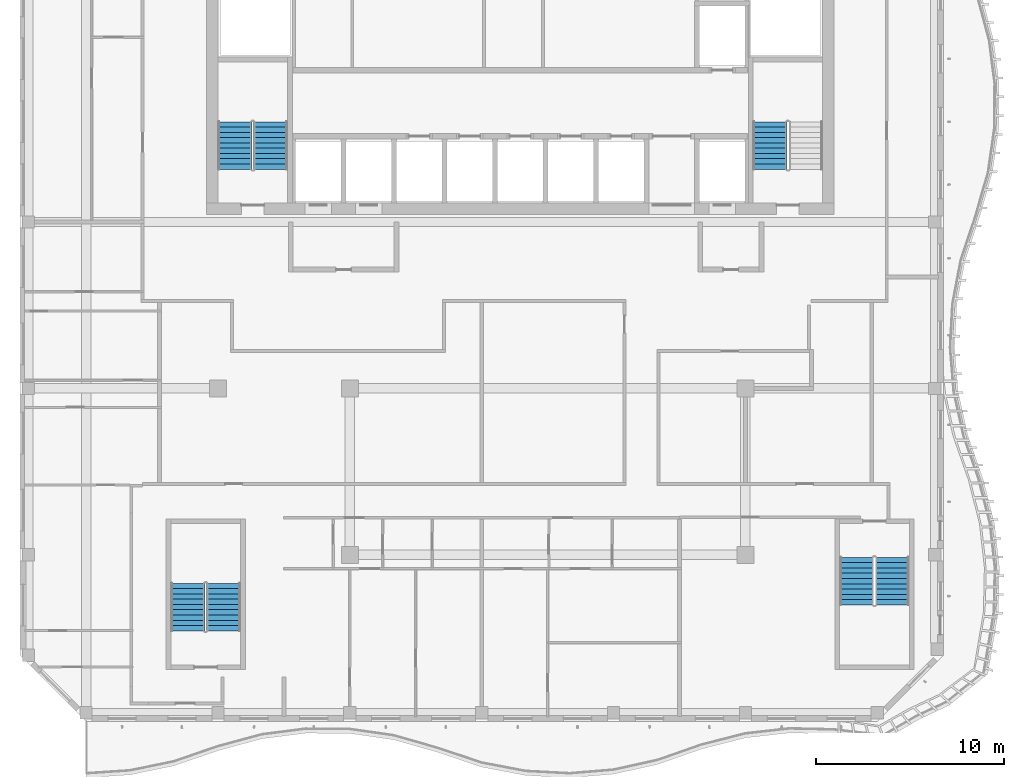
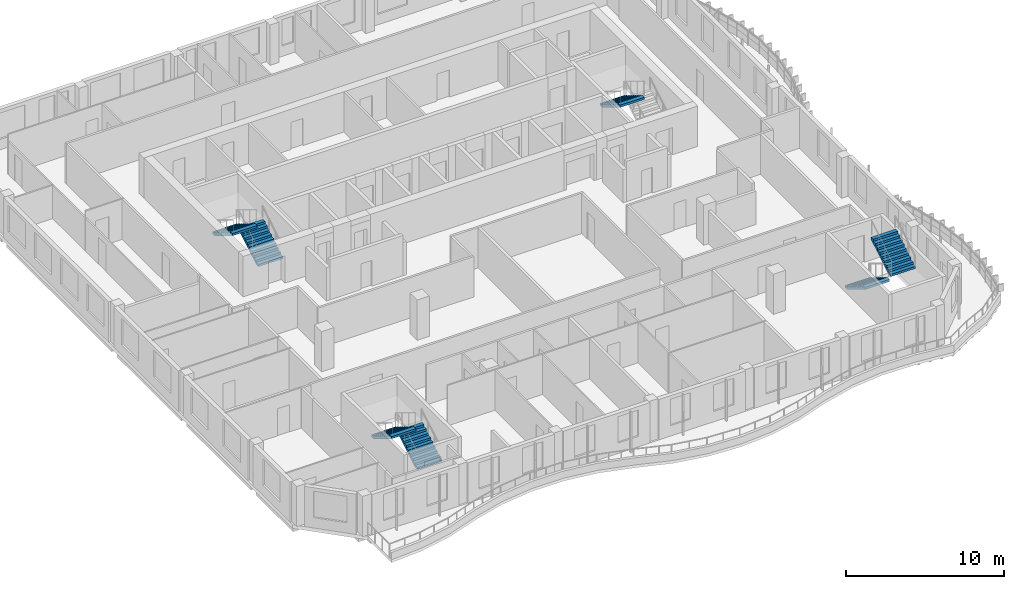
# One storey, part 10 of 18: 7 stair flights, 4 elements without a shape of their own.
"""IFC4 building model written with IfcOpenShell, lengths in metres."""

import ifcopenshell
import ifcopenshell.guid

model = None  # the IFC model being written
_history = None  # IfcOwnerHistory: only IFC2X3 demands one
_inside = {}  # id of a spatial element -> (the spatial element, [elements in it])
_under = {}  # id of a project, library or spatial element -> (it, [spatial elements below it])
_declared = {}  # id of a project -> (the project, [libraries it declares])
_typed = {}  # id of a type object -> (the type object, [elements of that type])
_made_of = {}  # id of a material, layer set ... -> (it, [elements and type objects made of it])


def new_model(schema):
    """Start an empty IFC model of exactly this schema.

    Asked for "IFC4X3", IfcOpenShell would pick the latest addendum, in which some entities
    have other attributes; the version numbers below select the first issue.
    IFC2X3 requires an IfcOwnerHistory on every rooted entity: one is made here for all.
    """
    global model, _history
    if schema == "IFC4X3":
        model = ifcopenshell.file(schema_version=(4, 3, 0, 0))
    else:
        model = ifcopenshell.file(schema=schema)
    _inside.clear()
    _under.clear()
    _declared.clear()
    _typed.clear()
    _made_of.clear()
    _history = None
    if model.schema == "IFC2X3":
        org = make("IfcOrganization", Name="unknown")
        user = make(
            "IfcPersonAndOrganization",
            ThePerson=make("IfcPerson", FamilyName="unknown"),
            TheOrganization=org,
        )
        app = make(
            "IfcApplication",
            ApplicationDeveloper=org,
            Version="unknown",
            ApplicationFullName="unknown",
            ApplicationIdentifier="unknown",
        )
        _history = make(
            "IfcOwnerHistory",
            OwningUser=user,
            OwningApplication=app,
            ChangeAction="ADDED",
            CreationDate=0,
        )
    return model


def make(cls, **values):
    """One entity of the class cls with the attributes given. An attribute that is None is left unset."""
    return model.create_entity(
        cls, **{name: value for name, value in values.items() if value is not None}
    )


def rooted(cls, **values):
    """An entity with a GlobalId (a new one), such as an element, a storey or a relation."""
    return make(cls, GlobalId=ifcopenshell.guid.new(), OwnerHistory=_history, **values)


def si_unit(unit_type, name, prefix=None):
    """IfcSIUnit, for example si_unit("LENGTHUNIT", "METRE", prefix="MILLI")."""
    return make("IfcSIUnit", UnitType=unit_type, Prefix=prefix, Name=name)


def assignment(units):
    """IfcUnitAssignment: the units of a project."""
    return None if units is None else make("IfcUnitAssignment", Units=units)


def point(xyz):
    """IfcCartesianPoint."""
    return None if xyz is None else make("IfcCartesianPoint", Coordinates=xyz)


def direction(xyz):
    """IfcDirection."""
    return None if xyz is None else make("IfcDirection", DirectionRatios=xyz)


def frame(location, z_axis=None, x_axis=None):
    """IfcAxis2Placement3D, a coordinate frame: its origin and axes. An axis left out is left unset."""
    return make(
        "IfcAxis2Placement3D",
        Location=point(location),
        Axis=direction(z_axis),
        RefDirection=direction(x_axis),
    )


def origin():
    """The frame at (0, 0, 0) with its axes left unset."""
    return frame((0.0, 0.0, 0.0))


def place(relative_to, where):
    """IfcLocalPlacement: puts the frame where relative to a parent placement (None: the world)."""
    return make(
        "IfcLocalPlacement", PlacementRelTo=relative_to, RelativePlacement=where
    )


def context(
    kind, dimensions, precision=None, world=None, true_north=None, identifier=None
):
    """IfcGeometricRepresentationContext, for example the 3D "Model" context."""
    return make(
        "IfcGeometricRepresentationContext",
        ContextIdentifier=identifier,
        ContextType=kind,
        CoordinateSpaceDimension=dimensions,
        Precision=precision,
        WorldCoordinateSystem=world,
        TrueNorth=true_north,
    )


def subcontext(parent, identifier, kind, view, scale=None):
    """IfcGeometricRepresentationSubContext, for example "Body" below "Model"."""
    return make(
        "IfcGeometricRepresentationSubContext",
        ContextIdentifier=identifier,
        ContextType=kind,
        ParentContext=parent,
        TargetScale=scale,
        TargetView=view,
    )


def project(units=None, contexts=None):
    """IfcProject with its units and contexts."""
    return rooted(
        "IfcProject",
        Name="project",
        RepresentationContexts=contexts,
        UnitsInContext=assignment(units),
    )


def spatial(cls, under=None, at=None, **own):
    """A site, building, storey or space (cls), placed at a placement, below another one or the project."""
    s = rooted(cls, ObjectPlacement=at, **own)
    if under is not None:
        _under.setdefault(under.id(), (under, []))[1].append(s)
    return s


def point_list(points):
    """IfcCartesianPointList2D or 3D."""
    cls = (
        "IfcCartesianPointList2D" if len(points[0]) == 2 else "IfcCartesianPointList3D"
    )
    return make(cls, CoordList=points)


def triangles(points, corners, closed=None, point_numbers=None):
    """IfcTriangulatedFaceSet: each triangle names its three corners, points numbered from 1."""
    return make(
        "IfcTriangulatedFaceSet",
        Coordinates=point_list(points),
        Closed=closed,
        CoordIndex=corners,
        PnIndex=point_numbers,
    )


def shape(context_of_items, identifier, shape_type, items):
    """IfcShapeRepresentation: the items that make up one representation, for example the "Body"."""
    return make(
        "IfcShapeRepresentation",
        ContextOfItems=context_of_items,
        RepresentationIdentifier=identifier,
        RepresentationType=shape_type,
        Items=items,
    )


def source(mapping_origin, context_of_items, identifier, shape_type, items):
    """IfcRepresentationMap: a shape defined once, which mapped items show again and again."""
    return make(
        "IfcRepresentationMap",
        MappingOrigin=mapping_origin,
        MappedRepresentation=shape(context_of_items, identifier, shape_type, items),
    )


def transform(
    local_origin,
    x_axis=None,
    y_axis=None,
    z_axis=None,
    scale=None,
    scale2=None,
    scale3=None,
    uniform=True,
):
    """IfcCartesianTransformationOperator3D, or its non-uniform kind. x_axis, y_axis, z_axis: its Axis1, 2, 3."""
    if uniform:
        return make(
            "IfcCartesianTransformationOperator3D",
            Axis1=direction(x_axis),
            Axis2=direction(y_axis),
            LocalOrigin=point(local_origin),
            Scale=scale,
            Axis3=direction(z_axis),
        )
    return make(
        "IfcCartesianTransformationOperator3DnonUniform",
        Axis1=direction(x_axis),
        Axis2=direction(y_axis),
        LocalOrigin=point(local_origin),
        Scale=scale,
        Axis3=direction(z_axis),
        Scale2=scale2,
        Scale3=scale3,
    )


def mapped(mapping_source, mapping_target):
    """IfcMappedItem: shows the shape of a source again, moved by a transform."""
    return make(
        "IfcMappedItem", MappingSource=mapping_source, MappingTarget=mapping_target
    )


def material(Name=None, Category=None):
    """IfcMaterial."""
    return make("IfcMaterial", Name=Name, Category=Category)


def made_of(thing, what):
    """Note that an element or type object is made of a material, layer set ...; save() writes the relation."""
    if what is not None:
        _made_of.setdefault(what.id(), (what, []))[1].append(thing)
    return thing


def type_object(cls, material=None, **own):
    """A type object (cls), such as IfcWallType, which elements share."""
    return made_of(rooted(cls, **own), material)


def element(
    cls,
    number,
    at=None,
    inside=None,
    cuts=None,
    type_object=None,
    material=None,
    context=None,
    identifier="Body",
    shape_type=None,
    held_by="IfcProductDefinitionShape",
    body=None,
    shapes=None,
    **own,
):
    """One element of the class cls, such as IfcWall. Its Tag is "e" and its number.

    at: its placement. inside: the storey or other place that contains it. cuts: it is an
    opening in that element (IfcRelVoidsElement). A single representation is given by context,
    identifier, shape_type and body (its items); several are given by shapes. held_by: the class
    of the entity that holds the representations. save() writes the other relations.
    """
    e = rooted(cls, Tag="e%d" % number, ObjectPlacement=at, **own)
    if body is not None:
        shapes = [shape(context, identifier, shape_type, body)]
    if shapes is not None:
        e.Representation = make(held_by, Representations=shapes)
    if inside is not None:
        _inside.setdefault(inside.id(), (inside, []))[1].append(e)
    if cuts is not None:
        rooted(
            "IfcRelVoidsElement", RelatingBuildingElement=cuts, RelatedOpeningElement=e
        )
    if type_object is not None:
        _typed.setdefault(type_object.id(), (type_object, []))[1].append(e)
    return made_of(e, material)


def aggregate(whole, parts):
    """IfcRelAggregates: a whole, such as a stair, and the parts it consists of."""
    return rooted("IfcRelAggregates", RelatingObject=whole, RelatedObjects=parts)


def save(model, path):
    """Write the relations noted so far, then the file.

    IfcRelAggregates (storeys below a building ...), IfcRelContainedInSpatialStructure (elements
    in a storey), IfcRelDefinesByType, IfcRelAssociatesMaterial and IfcRelDeclares: one each for
    every whole, place, type object, material and project.
    """
    for whole, parts in _under.values():
        aggregate(whole, parts)
    for where, things in _inside.values():
        rooted(
            "IfcRelContainedInSpatialStructure",
            RelatedElements=things,
            RelatingStructure=where,
        )
    for kind, things in _typed.values():
        rooted("IfcRelDefinesByType", RelatedObjects=things, RelatingType=kind)
    for what, things in _made_of.values():
        rooted("IfcRelAssociatesMaterial", RelatedObjects=things, RelatingMaterial=what)
    for by, libraries in _declared.values():
        rooted("IfcRelDeclares", RelatingContext=by, RelatedDefinitions=libraries)
    model.write(path)


model = new_model("IFC4")

# Units and contexts
model_context = context("Model", 3, precision=1e-05, world=origin(), true_north=direction((0.0, 1.0)))
body_context = subcontext(model_context, "Body", "Model", "MODEL_VIEW")
ifc_project = project(units=[si_unit("LENGTHUNIT", "METRE"), si_unit("AREAUNIT", "SQUARE_METRE"), si_unit("VOLUMEUNIT", "CUBIC_METRE"), si_unit("PLANEANGLEUNIT", "RADIAN"), si_unit("MASSUNIT", "GRAM", prefix="KILO")], contexts=[model_context])

# Site, building, storey
site_placement = place(None, origin())
site = spatial("IfcSite", under=ifc_project, at=site_placement, CompositionType="ELEMENT")
building_placement = place(site_placement, origin())
building = spatial("IfcBuilding", under=site, at=building_placement, Name="Kilnfold Tower and Market Hall", CompositionType="ELEMENT")
storey_placement = place(building_placement, frame((0.0, 0.0, 277.199951171875)))
storey = spatial("IfcBuildingStorey", under=building, at=storey_placement, Name="L68", CompositionType="ELEMENT", Elevation=277.199951171875)

# Stair, stair flights
ifc_material_1 = material(Name="Concrete C40/50", Category="concrete")
stair_type = type_object("IfcStairType", Name="CORE STAIR 1800", PredefinedType="HALF_TURN_STAIR", material=ifc_material_1)
stair_1_placement = place(storey_placement, origin())
stair_1 = element("IfcStair", 1, at=stair_1_placement, inside=storey, type_object=stair_type, Name="L68 ST1", PredefinedType="HALF_TURN_STAIR")
ifc_material_2 = material(Name="Concrete C40/50", Category="concrete")
stair_flight_type = type_object("IfcStairFlightType", Name="CORE STAIR FLIGHT 1800", PredefinedType="STRAIGHT", material=ifc_material_2)
shared_shape = source(origin(), body_context, "Body", "Tessellation", [
    triangles([(0.0, 0.89990234375, 0.0), (0.0, 0.78759765625, 0.0), (0.0, 0.675048828125, 0.0), (0.0, 0.5625, 0.0), (0.0, 0.449951171875, 0.0), (0.0, 0.33740234375, 0.0), (0.0, 0.22509765625, 0.0), (0.0, 0.112548828125, 0.0), (0.0, 0.0, 0.0), (0.0, -0.112548828125, 0.0), (0.0, -0.22509765625, 0.0), (0.0, -0.33740234375, 0.0), (0.0, -0.449951171875, 0.0), (0.0, -0.5625, 0.0), (0.0, -0.675048828125, 0.0), (0.0, -0.78759765625, 0.0), (0.0, -0.89990234375, 0.0), (0.0, 0.89990234375, 0.169921875), (0.0, 0.78759765625, 0.169921875), (0.0, 0.675048828125, 0.169921875), (0.0, 0.5625, 0.169921875), (0.0, 0.449951171875, 0.169921875), (0.0, 0.33740234375, 0.169921875), (0.0, 0.22509765625, 0.169921875), (0.0, 0.112548828125, 0.169921875), (0.0, 0.0, 0.169921875), (0.0, -0.112548828125, 0.169921875), (0.0, -0.22509765625, 0.169921875), (0.0, -0.33740234375, 0.169921875), (0.0, -0.449951171875, 0.169921875), (0.0, -0.5625, 0.169921875), (0.0, -0.675048828125, 0.169921875), (0.0, -0.78759765625, 0.169921875), (0.0, -0.89990234375, 0.169921875), (0.280029296875, 0.89990234375, 0.169921875), (0.280029296875, 0.78759765625, 0.169921875), (0.280029296875, 0.675048828125, 0.169921875), (0.280029296875, 0.5625, 0.169921875), (0.280029296875, 0.449951171875, 0.169921875), (0.280029296875, 0.33740234375, 0.169921875), (0.280029296875, 0.22509765625, 0.169921875), (0.280029296875, 0.112548828125, 0.169921875), (0.280029296875, 0.0, 0.169921875), (0.280029296875, -0.112548828125, 0.169921875), (0.280029296875, -0.22509765625, 0.169921875), (0.280029296875, -0.33740234375, 0.169921875), (0.280029296875, -0.449951171875, 0.169921875), (0.280029296875, -0.5625, 0.169921875), (0.280029296875, -0.675048828125, 0.169921875), (0.280029296875, -0.78759765625, 0.169921875), (0.280029296875, -0.89990234375, 0.169921875), (0.280029296875, 0.89990234375, 0.340087890625), (0.280029296875, 0.78759765625, 0.340087890625), (0.280029296875, 0.675048828125, 0.340087890625), (0.280029296875, 0.5625, 0.340087890625), (0.280029296875, 0.449951171875, 0.340087890625), (0.280029296875, 0.33740234375, 0.340087890625), (0.280029296875, 0.22509765625, 0.340087890625), (0.280029296875, 0.112548828125, 0.340087890625), (0.280029296875, 0.0, 0.340087890625), (0.280029296875, -0.112548828125, 0.340087890625), (0.280029296875, -0.22509765625, 0.340087890625), (0.280029296875, -0.33740234375, 0.340087890625), (0.280029296875, -0.449951171875, 0.340087890625), (0.280029296875, -0.5625, 0.340087890625), (0.280029296875, -0.675048828125, 0.340087890625), (0.280029296875, -0.78759765625, 0.340087890625), (0.280029296875, -0.89990234375, 0.340087890625), (0.56005859375, 0.89990234375, 0.340087890625), (0.56005859375, 0.78759765625, 0.340087890625), (0.56005859375, 0.675048828125, 0.340087890625), (0.56005859375, 0.5625, 0.340087890625), (0.56005859375, 0.449951171875, 0.340087890625), (0.56005859375, 0.33740234375, 0.340087890625), (0.56005859375, 0.22509765625, 0.340087890625), (0.56005859375, 0.112548828125, 0.340087890625), (0.56005859375, 0.0, 0.340087890625), (0.56005859375, -0.112548828125, 0.340087890625), (0.56005859375, -0.22509765625, 0.340087890625), (0.56005859375, -0.33740234375, 0.340087890625), (0.56005859375, -0.449951171875, 0.340087890625), (0.56005859375, -0.5625, 0.340087890625), (0.56005859375, -0.675048828125, 0.340087890625), (0.56005859375, -0.78759765625, 0.340087890625), (0.56005859375, -0.89990234375, 0.340087890625), (0.56005859375, 0.89990234375, 0.510009765625), (0.56005859375, 0.78759765625, 0.510009765625), (0.56005859375, 0.675048828125, 0.510009765625), (0.56005859375, 0.5625, 0.510009765625), (0.56005859375, 0.449951171875, 0.510009765625), (0.56005859375, 0.33740234375, 0.510009765625), (0.56005859375, 0.22509765625, 0.510009765625), (0.56005859375, 0.112548828125, 0.510009765625), (0.56005859375, 0.0, 0.510009765625), (0.56005859375, -0.112548828125, 0.510009765625), (0.56005859375, -0.22509765625, 0.510009765625), (0.56005859375, -0.33740234375, 0.510009765625), (0.56005859375, -0.449951171875, 0.510009765625), (0.56005859375, -0.5625, 0.510009765625), (0.56005859375, -0.675048828125, 0.510009765625), (0.56005859375, -0.78759765625, 0.510009765625), (0.56005859375, -0.89990234375, 0.510009765625), (0.840087890625, 0.89990234375, 0.510009765625), (0.840087890625, 0.78759765625, 0.510009765625), (0.840087890625, 0.675048828125, 0.510009765625), (0.840087890625, 0.5625, 0.510009765625), (0.840087890625, 0.449951171875, 0.510009765625), (0.840087890625, 0.33740234375, 0.510009765625), (0.840087890625, 0.22509765625, 0.510009765625), (0.840087890625, 0.112548828125, 0.510009765625), (0.840087890625, 0.0, 0.510009765625), (0.840087890625, -0.112548828125, 0.510009765625), (0.840087890625, -0.22509765625, 0.510009765625), (0.840087890625, -0.33740234375, 0.510009765625), (0.840087890625, -0.449951171875, 0.510009765625), (0.840087890625, -0.5625, 0.510009765625), (0.840087890625, -0.675048828125, 0.510009765625), (0.840087890625, -0.78759765625, 0.510009765625), (0.840087890625, -0.89990234375, 0.510009765625), (0.840087890625, 0.89990234375, 0.679931640625), (0.840087890625, 0.78759765625, 0.679931640625), (0.840087890625, 0.675048828125, 0.679931640625), (0.840087890625, 0.5625, 0.679931640625), (0.840087890625, 0.449951171875, 0.679931640625), (0.840087890625, 0.33740234375, 0.679931640625), (0.840087890625, 0.22509765625, 0.679931640625), (0.840087890625, 0.112548828125, 0.679931640625), (0.840087890625, 0.0, 0.679931640625), (0.840087890625, -0.112548828125, 0.679931640625), (0.840087890625, -0.22509765625, 0.679931640625), (0.840087890625, -0.33740234375, 0.679931640625), (0.840087890625, -0.449951171875, 0.679931640625), (0.840087890625, -0.5625, 0.679931640625), (0.840087890625, -0.675048828125, 0.679931640625), (0.840087890625, -0.78759765625, 0.679931640625), (0.840087890625, -0.89990234375, 0.679931640625), (1.1201171875, 0.89990234375, 0.679931640625), (1.1201171875, 0.78759765625, 0.679931640625), (1.1201171875, 0.675048828125, 0.679931640625), (1.1201171875, 0.5625, 0.679931640625), (1.1201171875, 0.449951171875, 0.679931640625), (1.1201171875, 0.33740234375, 0.679931640625), (1.1201171875, 0.22509765625, 0.679931640625), (1.1201171875, 0.112548828125, 0.679931640625), (1.1201171875, 0.0, 0.679931640625), (1.1201171875, -0.112548828125, 0.679931640625), (1.1201171875, -0.22509765625, 0.679931640625), (1.1201171875, -0.33740234375, 0.679931640625), (1.1201171875, -0.449951171875, 0.679931640625), (1.1201171875, -0.5625, 0.679931640625), (1.1201171875, -0.675048828125, 0.679931640625), (1.1201171875, -0.78759765625, 0.679931640625), (1.1201171875, -0.89990234375, 0.679931640625), (1.1201171875, 0.89990234375, 0.85009765625), (1.1201171875, 0.78759765625, 0.85009765625), (1.1201171875, 0.675048828125, 0.85009765625), (1.1201171875, 0.5625, 0.85009765625), (1.1201171875, 0.449951171875, 0.85009765625), (1.1201171875, 0.33740234375, 0.85009765625), (1.1201171875, 0.22509765625, 0.85009765625), (1.1201171875, 0.112548828125, 0.85009765625), (1.1201171875, 0.0, 0.85009765625), (1.1201171875, -0.112548828125, 0.85009765625), (1.1201171875, -0.22509765625, 0.85009765625), (1.1201171875, -0.33740234375, 0.85009765625), (1.1201171875, -0.449951171875, 0.85009765625), (1.1201171875, -0.5625, 0.85009765625), (1.1201171875, -0.675048828125, 0.85009765625), (1.1201171875, -0.78759765625, 0.85009765625), (1.1201171875, -0.89990234375, 0.85009765625), (1.39990234375, 0.89990234375, 0.85009765625), (1.39990234375, 0.78759765625, 0.85009765625), (1.39990234375, 0.675048828125, 0.85009765625), (1.39990234375, 0.5625, 0.85009765625), (1.39990234375, 0.449951171875, 0.85009765625), (1.39990234375, 0.33740234375, 0.85009765625), (1.39990234375, 0.22509765625, 0.85009765625), (1.39990234375, 0.112548828125, 0.85009765625), (1.39990234375, 0.0, 0.85009765625), (1.39990234375, -0.112548828125, 0.85009765625), (1.39990234375, -0.22509765625, 0.85009765625), (1.39990234375, -0.33740234375, 0.85009765625), (1.39990234375, -0.449951171875, 0.85009765625), (1.39990234375, -0.5625, 0.85009765625), (1.39990234375, -0.675048828125, 0.85009765625), (1.39990234375, -0.78759765625, 0.85009765625), (1.39990234375, -0.89990234375, 0.85009765625), (1.39990234375, 0.89990234375, 1.02001953125), (1.39990234375, 0.78759765625, 1.02001953125), (1.39990234375, 0.675048828125, 1.02001953125), (1.39990234375, 0.5625, 1.02001953125), (1.39990234375, 0.449951171875, 1.02001953125), (1.39990234375, 0.33740234375, 1.02001953125), (1.39990234375, 0.22509765625, 1.02001953125), (1.39990234375, 0.112548828125, 1.02001953125), (1.39990234375, 0.0, 1.02001953125), (1.39990234375, -0.112548828125, 1.02001953125), (1.39990234375, -0.22509765625, 1.02001953125), (1.39990234375, -0.33740234375, 1.02001953125), (1.39990234375, -0.449951171875, 1.02001953125), (1.39990234375, -0.5625, 1.02001953125), (1.39990234375, -0.675048828125, 1.02001953125), (1.39990234375, -0.78759765625, 1.02001953125), (1.39990234375, -0.89990234375, 1.02001953125), (1.679931640625, 0.89990234375, 1.02001953125), (1.679931640625, 0.78759765625, 1.02001953125), (1.679931640625, 0.675048828125, 1.02001953125), (1.679931640625, 0.5625, 1.02001953125), (1.679931640625, 0.449951171875, 1.02001953125), (1.679931640625, 0.33740234375, 1.02001953125), (1.679931640625, 0.22509765625, 1.02001953125), (1.679931640625, 0.112548828125, 1.02001953125), (1.679931640625, 0.0, 1.02001953125), (1.679931640625, -0.112548828125, 1.02001953125), (1.679931640625, -0.22509765625, 1.02001953125), (1.679931640625, -0.33740234375, 1.02001953125), (1.679931640625, -0.449951171875, 1.02001953125), (1.679931640625, -0.5625, 1.02001953125), (1.679931640625, -0.675048828125, 1.02001953125), (1.679931640625, -0.78759765625, 1.02001953125), (1.679931640625, -0.89990234375, 1.02001953125), (1.679931640625, 0.89990234375, 1.18994140625), (1.679931640625, 0.78759765625, 1.18994140625), (1.679931640625, 0.675048828125, 1.18994140625), (1.679931640625, 0.5625, 1.18994140625), (1.679931640625, 0.449951171875, 1.18994140625), (1.679931640625, 0.33740234375, 1.18994140625), (1.679931640625, 0.22509765625, 1.18994140625), (1.679931640625, 0.112548828125, 1.18994140625), (1.679931640625, 0.0, 1.18994140625), (1.679931640625, -0.112548828125, 1.18994140625), (1.679931640625, -0.22509765625, 1.18994140625), (1.679931640625, -0.33740234375, 1.18994140625), (1.679931640625, -0.449951171875, 1.18994140625), (1.679931640625, -0.5625, 1.18994140625), (1.679931640625, -0.675048828125, 1.18994140625), (1.679931640625, -0.78759765625, 1.18994140625), (1.679931640625, -0.89990234375, 1.18994140625), (1.9599609375, 0.89990234375, 1.18994140625), (1.9599609375, 0.78759765625, 1.18994140625), (1.9599609375, 0.675048828125, 1.18994140625), (1.9599609375, 0.5625, 1.18994140625), (1.9599609375, 0.449951171875, 1.18994140625), (1.9599609375, 0.33740234375, 1.18994140625), (1.9599609375, 0.22509765625, 1.18994140625), (1.9599609375, 0.112548828125, 1.18994140625), (1.9599609375, 0.0, 1.18994140625), (1.9599609375, -0.112548828125, 1.18994140625), (1.9599609375, -0.22509765625, 1.18994140625), (1.9599609375, -0.33740234375, 1.18994140625), (1.9599609375, -0.449951171875, 1.18994140625), (1.9599609375, -0.5625, 1.18994140625), (1.9599609375, -0.675048828125, 1.18994140625), (1.9599609375, -0.78759765625, 1.18994140625), (1.9599609375, -0.89990234375, 1.18994140625), (1.9599609375, 0.89990234375, 1.360107421875), (1.9599609375, 0.78759765625, 1.360107421875), (1.9599609375, 0.675048828125, 1.360107421875), (1.9599609375, 0.5625, 1.360107421875), (1.9599609375, 0.449951171875, 1.360107421875), (1.9599609375, 0.33740234375, 1.360107421875), (1.9599609375, 0.22509765625, 1.360107421875), (1.9599609375, 0.112548828125, 1.360107421875), (1.9599609375, 0.0, 1.360107421875), (1.9599609375, -0.112548828125, 1.360107421875), (1.9599609375, -0.22509765625, 1.360107421875), (1.9599609375, -0.33740234375, 1.360107421875), (1.9599609375, -0.449951171875, 1.360107421875), (1.9599609375, -0.5625, 1.360107421875), (1.9599609375, -0.675048828125, 1.360107421875), (1.9599609375, -0.78759765625, 1.360107421875), (1.9599609375, -0.89990234375, 1.360107421875), (2.239990234375, 0.89990234375, 1.360107421875), (2.239990234375, 0.78759765625, 1.360107421875), (2.239990234375, 0.675048828125, 1.360107421875), (2.239990234375, 0.5625, 1.360107421875), (2.239990234375, 0.449951171875, 1.360107421875), (2.239990234375, 0.33740234375, 1.360107421875), (2.239990234375, 0.22509765625, 1.360107421875), (2.239990234375, 0.112548828125, 1.360107421875), (2.239990234375, 0.0, 1.360107421875), (2.239990234375, -0.112548828125, 1.360107421875), (2.239990234375, -0.22509765625, 1.360107421875), (2.239990234375, -0.33740234375, 1.360107421875), (2.239990234375, -0.449951171875, 1.360107421875), (2.239990234375, -0.5625, 1.360107421875), (2.239990234375, -0.675048828125, 1.360107421875), (2.239990234375, -0.78759765625, 1.360107421875), (2.239990234375, -0.89990234375, 1.360107421875), (2.239990234375, 0.89990234375, 1.530029296875), (2.239990234375, 0.78759765625, 1.530029296875), (2.239990234375, 0.675048828125, 1.530029296875), (2.239990234375, 0.5625, 1.530029296875), (2.239990234375, 0.449951171875, 1.530029296875), (2.239990234375, 0.33740234375, 1.530029296875), (2.239990234375, 0.22509765625, 1.530029296875), (2.239990234375, 0.112548828125, 1.530029296875), (2.239990234375, 0.0, 1.530029296875), (2.239990234375, -0.112548828125, 1.530029296875), (2.239990234375, -0.22509765625, 1.530029296875), (2.239990234375, -0.33740234375, 1.530029296875), (2.239990234375, -0.449951171875, 1.530029296875), (2.239990234375, -0.5625, 1.530029296875), (2.239990234375, -0.675048828125, 1.530029296875), (2.239990234375, -0.78759765625, 1.530029296875), (2.239990234375, -0.89990234375, 1.530029296875), (2.52001953125, 0.89990234375, 1.530029296875), (2.52001953125, 0.78759765625, 1.530029296875), (2.52001953125, 0.675048828125, 1.530029296875), (2.52001953125, 0.5625, 1.530029296875), (2.52001953125, 0.449951171875, 1.530029296875), (2.52001953125, 0.33740234375, 1.530029296875), (2.52001953125, 0.22509765625, 1.530029296875), (2.52001953125, 0.112548828125, 1.530029296875), (2.52001953125, 0.0, 1.530029296875), (2.52001953125, -0.112548828125, 1.530029296875), (2.52001953125, -0.22509765625, 1.530029296875), (2.52001953125, -0.33740234375, 1.530029296875), (2.52001953125, -0.449951171875, 1.530029296875), (2.52001953125, -0.5625, 1.530029296875), (2.52001953125, -0.675048828125, 1.530029296875), (2.52001953125, -0.78759765625, 1.530029296875), (2.52001953125, -0.89990234375, 1.530029296875), (2.52001953125, 0.89990234375, 1.354736328125), (2.52001953125, 0.78759765625, 1.354736328125), (2.52001953125, 0.675048828125, 1.354736328125), (2.52001953125, 0.5625, 1.354736328125), (2.52001953125, 0.449951171875, 1.354736328125), (2.52001953125, 0.33740234375, 1.354736328125), (2.52001953125, 0.22509765625, 1.354736328125), (2.52001953125, 0.112548828125, 1.354736328125), (2.52001953125, 0.0, 1.354736328125), (2.52001953125, -0.112548828125, 1.354736328125), (2.52001953125, -0.22509765625, 1.354736328125), (2.52001953125, -0.33740234375, 1.354736328125), (2.52001953125, -0.449951171875, 1.354736328125), (2.52001953125, -0.5625, 1.354736328125), (2.52001953125, -0.675048828125, 1.354736328125), (2.52001953125, -0.78759765625, 1.354736328125), (2.52001953125, -0.89990234375, 1.354736328125), (0.288818359375, 0.89990234375, 0.0), (0.288818359375, 0.78759765625, 0.0), (0.288818359375, 0.675048828125, 0.0), (0.288818359375, 0.5625, 0.0), (0.288818359375, 0.449951171875, 0.0), (0.288818359375, 0.33740234375, 0.0), (0.288818359375, 0.22509765625, 0.0), (0.288818359375, 0.112548828125, 0.0), (0.288818359375, 0.0, 0.0), (0.288818359375, -0.112548828125, 0.0), (0.288818359375, -0.22509765625, 0.0), (0.288818359375, -0.33740234375, 0.0), (0.288818359375, -0.449951171875, 0.0), (0.288818359375, -0.5625, 0.0), (0.288818359375, -0.675048828125, 0.0), (0.288818359375, -0.78759765625, 0.0), (0.288818359375, -0.89990234375, 0.0)], [[1, 324, 341], [17, 357, 340], [324, 290, 307], [340, 323, 306], [324, 273, 290], [340, 306, 289], [324, 256, 273], [340, 289, 272], [324, 239, 256], [340, 272, 255], [239, 205, 222], [255, 238, 221], [324, 205, 239], [340, 255, 221], [205, 171, 188], [221, 204, 187], [324, 171, 205], [340, 221, 187], [171, 137, 154], [187, 170, 153], [324, 137, 171], [340, 187, 153], [137, 103, 120], [153, 136, 119], [324, 103, 137], [340, 153, 119], [103, 69, 86], [119, 102, 85], [324, 69, 103], [340, 119, 85], [69, 35, 52], [85, 68, 51], [324, 35, 69], [340, 85, 51], [1, 35, 324], [17, 340, 51], [35, 1, 18], [51, 34, 17], [1, 19, 18], [1, 2, 19], [2, 20, 19], [2, 3, 20], [3, 21, 20], [3, 4, 21], [4, 22, 21], [4, 5, 22], [5, 23, 22], [5, 6, 23], [6, 24, 23], [6, 7, 24], [7, 25, 24], [7, 8, 25], [8, 26, 25], [8, 9, 26], [9, 27, 26], [9, 10, 27], [10, 28, 27], [10, 11, 28], [11, 29, 28], [11, 12, 29], [12, 30, 29], [12, 13, 30], [13, 31, 30], [13, 14, 31], [14, 32, 31], [14, 15, 32], [15, 33, 32], [15, 16, 33], [16, 34, 33], [16, 17, 34], [18, 36, 35], [18, 19, 36], [19, 37, 36], [19, 20, 37], [20, 38, 37], [20, 21, 38], [21, 39, 38], [21, 22, 39], [22, 40, 39], [22, 23, 40], [23, 41, 40], [23, 24, 41], [24, 42, 41], [24, 25, 42], [25, 43, 42], [25, 26, 43], [26, 44, 43], [26, 27, 44], [27, 45, 44], [27, 28, 45], [28, 46, 45], [28, 29, 46], [29, 47, 46], [29, 30, 47], [30, 48, 47], [30, 31, 48], [31, 49, 48], [31, 32, 49], [32, 50, 49], [32, 33, 50], [33, 51, 50], [33, 34, 51], [35, 53, 52], [35, 36, 53], [36, 54, 53], [36, 37, 54], [37, 55, 54], [37, 38, 55], [38, 56, 55], [38, 39, 56], [39, 57, 56], [39, 40, 57], [40, 58, 57], [40, 41, 58], [41, 59, 58], [41, 42, 59], [42, 60, 59], [42, 43, 60], [43, 61, 60], [43, 44, 61], [44, 62, 61], [44, 45, 62], [45, 63, 62], [45, 46, 63], [46, 64, 63], [46, 47, 64], [47, 65, 64], [47, 48, 65], [48, 66, 65], [48, 49, 66], [49, 67, 66], [49, 50, 67], [50, 68, 67], [50, 51, 68], [52, 70, 69], [52, 53, 70], [53, 71, 70], [53, 54, 71], [54, 72, 71], [54, 55, 72], [55, 73, 72], [55, 56, 73], [56, 74, 73], [56, 57, 74], [57, 75, 74], [57, 58, 75], [58, 76, 75], [58, 59, 76], [59, 77, 76], [59, 60, 77], [60, 78, 77], [60, 61, 78], [61, 79, 78], [61, 62, 79], [62, 80, 79], [62, 63, 80], [63, 81, 80], [63, 64, 81], [64, 82, 81], [64, 65, 82], [65, 83, 82], [65, 66, 83], [66, 84, 83], [66, 67, 84], [67, 85, 84], [67, 68, 85], [69, 87, 86], [69, 70, 87], [70, 88, 87], [70, 71, 88], [71, 89, 88], [71, 72, 89], [72, 90, 89], [72, 73, 90], [73, 91, 90], [73, 74, 91], [74, 92, 91], [74, 75, 92], [75, 93, 92], [75, 76, 93], [76, 94, 93], [76, 77, 94], [77, 95, 94], [77, 78, 95], [78, 96, 95], [78, 79, 96], [79, 97, 96], [79, 80, 97], [80, 98, 97], [80, 81, 98], [81, 99, 98], [81, 82, 99], [82, 100, 99], [82, 83, 100], [83, 101, 100], [83, 84, 101], [84, 102, 101], [84, 85, 102], [86, 104, 103], [86, 87, 104], [87, 105, 104], [87, 88, 105], [88, 106, 105], [88, 89, 106], [89, 107, 106], [89, 90, 107], [90, 108, 107], [90, 91, 108], [91, 109, 108], [91, 92, 109], [92, 110, 109], [92, 93, 110], [93, 111, 110], [93, 94, 111], [94, 112, 111], [94, 95, 112], [95, 113, 112], [95, 96, 113], [96, 114, 113], [96, 97, 114], [97, 115, 114], [97, 98, 115], [98, 116, 115], [98, 99, 116], [99, 117, 116], [99, 100, 117], [100, 118, 117], [100, 101, 118], [101, 119, 118], [101, 102, 119], [103, 121, 120], [103, 104, 121], [104, 122, 121], [104, 105, 122], [105, 123, 122], [105, 106, 123], [106, 124, 123], [106, 107, 124], [107, 125, 124], [107, 108, 125], [108, 126, 125], [108, 109, 126], [109, 127, 126], [109, 110, 127], [110, 128, 127], [110, 111, 128], [111, 129, 128], [111, 112, 129], [112, 130, 129], [112, 113, 130], [113, 131, 130], [113, 114, 131], [114, 132, 131], [114, 115, 132], [115, 133, 132], [115, 116, 133], [116, 134, 133], [116, 117, 134], [117, 135, 134], [117, 118, 135], [118, 136, 135], [118, 119, 136], [120, 138, 137], [120, 121, 138], [121, 139, 138], [121, 122, 139], [122, 140, 139], [122, 123, 140], [123, 141, 140], [123, 124, 141], [124, 142, 141], [124, 125, 142], [125, 143, 142], [125, 126, 143], [126, 144, 143], [126, 127, 144], [127, 145, 144], [127, 128, 145], [128, 146, 145], [128, 129, 146], [129, 147, 146], [129, 130, 147], [130, 148, 147], [130, 131, 148], [131, 149, 148], [131, 132, 149], [132, 150, 149], [132, 133, 150], [133, 151, 150], [133, 134, 151], [134, 152, 151], [134, 135, 152], [135, 153, 152], [135, 136, 153], [137, 155, 154], [137, 138, 155], [138, 156, 155], [138, 139, 156], [139, 157, 156], [139, 140, 157], [140, 158, 157], [140, 141, 158], [141, 159, 158], [141, 142, 159], [142, 160, 159], [142, 143, 160], [143, 161, 160], [143, 144, 161], [144, 162, 161], [144, 145, 162], [145, 163, 162], [145, 146, 163], [146, 164, 163], [146, 147, 164], [147, 165, 164], [147, 148, 165], [148, 166, 165], [148, 149, 166], [149, 167, 166], [149, 150, 167], [150, 168, 167], [150, 151, 168], [151, 169, 168], [151, 152, 169], [152, 170, 169], [152, 153, 170], [154, 172, 171], [154, 155, 172], [155, 173, 172], [155, 156, 173], [156, 174, 173], [156, 157, 174], [157, 175, 174], [157, 158, 175], [158, 176, 175], [158, 159, 176], [159, 177, 176], [159, 160, 177], [160, 178, 177], [160, 161, 178], [161, 179, 178], [161, 162, 179], [162, 180, 179], [162, 163, 180], [163, 181, 180], [163, 164, 181], [164, 182, 181], [164, 165, 182], [165, 183, 182], [165, 166, 183], [166, 184, 183], [166, 167, 184], [167, 185, 184], [167, 168, 185], [168, 186, 185], [168, 169, 186], [169, 187, 186], [169, 170, 187], [171, 189, 188], [171, 172, 189], [172, 190, 189], [172, 173, 190], [173, 191, 190], [173, 174, 191], [174, 192, 191], [174, 175, 192], [175, 193, 192], [175, 176, 193], [176, 194, 193], [176, 177, 194], [177, 195, 194], [177, 178, 195], [178, 196, 195], [178, 179, 196], [179, 197, 196], [179, 180, 197], [180, 198, 197], [180, 181, 198], [181, 199, 198], [181, 182, 199], [182, 200, 199], [182, 183, 200], [183, 201, 200], [183, 184, 201], [184, 202, 201], [184, 185, 202], [185, 203, 202], [185, 186, 203], [186, 204, 203], [186, 187, 204], [188, 206, 205], [188, 189, 206], [189, 207, 206], [189, 190, 207], [190, 208, 207], [190, 191, 208], [191, 209, 208], [191, 192, 209], [192, 210, 209], [192, 193, 210], [193, 211, 210], [193, 194, 211], [194, 212, 211], [194, 195, 212], [195, 213, 212], [195, 196, 213], [196, 214, 213], [196, 197, 214], [197, 215, 214], [197, 198, 215], [198, 216, 215], [198, 199, 216], [199, 217, 216], [199, 200, 217], [200, 218, 217], [200, 201, 218], [201, 219, 218], [201, 202, 219], [202, 220, 219], [202, 203, 220], [203, 221, 220], [203, 204, 221], [205, 223, 222], [205, 206, 223], [206, 224, 223], [206, 207, 224], [207, 225, 224], [207, 208, 225], [208, 226, 225], [208, 209, 226], [209, 227, 226], [209, 210, 227], [210, 228, 227], [210, 211, 228], [211, 229, 228], [211, 212, 229], [212, 230, 229], [212, 213, 230], [213, 231, 230], [213, 214, 231], [214, 232, 231], [214, 215, 232], [215, 233, 232], [215, 216, 233], [216, 234, 233], [216, 217, 234], [217, 235, 234], [217, 218, 235], [218, 236, 235], [218, 219, 236], [219, 237, 236], [219, 220, 237], [220, 238, 237], [220, 221, 238], [222, 240, 239], [222, 223, 240], [223, 241, 240], [223, 224, 241], [224, 242, 241], [224, 225, 242], [225, 243, 242], [225, 226, 243], [226, 244, 243], [226, 227, 244], [227, 245, 244], [227, 228, 245], [228, 246, 245], [228, 229, 246], [229, 247, 246], [229, 230, 247], [230, 248, 247], [230, 231, 248], [231, 249, 248], [231, 232, 249], [232, 250, 249], [232, 233, 250], [233, 251, 250], [233, 234, 251], [234, 252, 251], [234, 235, 252], [235, 253, 252], [235, 236, 253], [236, 254, 253], [236, 237, 254], [237, 255, 254], [237, 238, 255], [239, 257, 256], [239, 240, 257], [240, 258, 257], [240, 241, 258], [241, 259, 258], [241, 242, 259], [242, 260, 259], [242, 243, 260], [243, 261, 260], [243, 244, 261], [244, 262, 261], [244, 245, 262], [245, 263, 262], [245, 246, 263], [246, 264, 263], [246, 247, 264], [247, 265, 264], [247, 248, 265], [248, 266, 265], [248, 249, 266], [249, 267, 266], [249, 250, 267], [250, 268, 267], [250, 251, 268], [251, 269, 268], [251, 252, 269], [252, 270, 269], [252, 253, 270], [253, 271, 270], [253, 254, 271], [254, 272, 271], [254, 255, 272], [256, 274, 273], [256, 257, 274], [257, 275, 274], [257, 258, 275], [258, 276, 275], [258, 259, 276], [259, 277, 276], [259, 260, 277], [260, 278, 277], [260, 261, 278], [261, 279, 278], [261, 262, 279], [262, 280, 279], [262, 263, 280], [263, 281, 280], [263, 264, 281], [264, 282, 281], [264, 265, 282], [265, 283, 282], [265, 266, 283], [266, 284, 283], [266, 267, 284], [267, 285, 284], [267, 268, 285], [268, 286, 285], [268, 269, 286], [269, 287, 286], [269, 270, 287], [270, 288, 287], [270, 271, 288], [271, 289, 288], [271, 272, 289], [273, 291, 290], [273, 274, 291], [274, 292, 291], [274, 275, 292], [275, 293, 292], [275, 276, 293], [276, 294, 293], [276, 277, 294], [277, 295, 294], [277, 278, 295], [278, 296, 295], [278, 279, 296], [279, 297, 296], [279, 280, 297], [280, 298, 297], [280, 281, 298], [281, 299, 298], [281, 282, 299], [282, 300, 299], [282, 283, 300], [283, 301, 300], [283, 284, 301], [284, 302, 301], [284, 285, 302], [285, 303, 302], [285, 286, 303], [286, 304, 303], [286, 287, 304], [287, 305, 304], [287, 288, 305], [288, 306, 305], [288, 289, 306], [290, 308, 307], [290, 291, 308], [291, 309, 308], [291, 292, 309], [292, 310, 309], [292, 293, 310], [293, 311, 310], [293, 294, 311], [294, 312, 311], [294, 295, 312], [295, 313, 312], [295, 296, 313], [296, 314, 313], [296, 297, 314], [297, 315, 314], [297, 298, 315], [298, 316, 315], [298, 299, 316], [299, 317, 316], [299, 300, 317], [300, 318, 317], [300, 301, 318], [301, 319, 318], [301, 302, 319], [302, 320, 319], [302, 303, 320], [303, 321, 320], [303, 304, 321], [304, 322, 321], [304, 305, 322], [305, 323, 322], [305, 306, 323], [307, 325, 324], [307, 308, 325], [308, 326, 325], [308, 309, 326], [309, 327, 326], [309, 310, 327], [310, 328, 327], [310, 311, 328], [311, 329, 328], [311, 312, 329], [312, 330, 329], [312, 313, 330], [313, 331, 330], [313, 314, 331], [314, 332, 331], [314, 315, 332], [315, 333, 332], [315, 316, 333], [316, 334, 333], [316, 317, 334], [317, 335, 334], [317, 318, 335], [318, 336, 335], [318, 319, 336], [319, 337, 336], [319, 320, 337], [320, 338, 337], [320, 321, 338], [321, 339, 338], [321, 322, 339], [322, 340, 339], [322, 323, 340], [324, 342, 341], [324, 325, 342], [325, 343, 342], [325, 326, 343], [326, 344, 343], [326, 327, 344], [327, 345, 344], [327, 328, 345], [328, 346, 345], [328, 329, 346], [329, 347, 346], [329, 330, 347], [330, 348, 347], [330, 331, 348], [331, 349, 348], [331, 332, 349], [332, 350, 349], [332, 333, 350], [333, 351, 350], [333, 334, 351], [334, 352, 351], [334, 335, 352], [335, 353, 352], [335, 336, 353], [336, 354, 353], [336, 337, 354], [337, 355, 354], [337, 338, 355], [338, 356, 355], [338, 339, 356], [339, 357, 356], [339, 340, 357], [341, 2, 1], [341, 342, 2], [342, 3, 2], [342, 343, 3], [343, 4, 3], [343, 344, 4], [344, 5, 4], [344, 345, 5], [345, 6, 5], [345, 346, 6], [346, 7, 6], [346, 347, 7], [347, 8, 7], [347, 348, 8], [348, 9, 8], [348, 349, 9], [349, 10, 9], [349, 350, 10], [350, 11, 10], [350, 351, 11], [351, 12, 11], [351, 352, 12], [352, 13, 12], [352, 353, 13], [353, 14, 13], [353, 354, 14], [354, 15, 14], [354, 355, 15], [355, 16, 15], [355, 356, 16], [356, 17, 16], [356, 357, 17]], closed=True),
])
stair_flight_1_placement = place(storey_placement, frame((-12.199951171875, 10.800048828125, 0.0), z_axis=(0.0, 0.0, 1.0), x_axis=(0.0, 1.0, 0.0)))
stair_flight_1 = element("IfcStairFlight", 2, at=stair_flight_1_placement, type_object=stair_flight_type, Name="ST1 flight 1", NumberOfRisers=10, NumberOfTreads=9, PredefinedType="STRAIGHT", RiserHeight=0.17, TreadLength=0.28, context=body_context, shape_type="MappedRepresentation", body=[
    mapped(shared_shape, transform((0.0, 0.0, 0.0))),
])
stair_flight_2_placement = place(storey_placement, frame((-14.10009765625, 13.320068359375, 1.699951171875), z_axis=(0.0, 0.0, 1.0), x_axis=(0.0, -1.0, 0.0)))
stair_flight_2 = element("IfcStairFlight", 3, at=stair_flight_2_placement, type_object=stair_flight_type, Name="ST1 flight 2", NumberOfRisers=10, NumberOfTreads=9, PredefinedType="STRAIGHT", RiserHeight=0.17, TreadLength=0.28, context=body_context, shape_type="MappedRepresentation", body=[
    mapped(shared_shape, transform((0.0, 0.0, 0.0))),
])
aggregate(stair_1, [stair_flight_1, stair_flight_2])

# Stair, stair flight
stair_2_placement = place(storey_placement, origin())
stair_2 = element("IfcStair", 4, at=stair_2_placement, inside=storey, type_object=stair_type, Name="L68 ST2", PredefinedType="HALF_TURN_STAIR")
stair_flight_3_placement = place(storey_placement, frame((14.300048828125, 13.320068359375, 1.699951171875), z_axis=(0.0, 0.0, 1.0), x_axis=(0.0, -1.0, 0.0)))
stair_flight_3 = element("IfcStairFlight", 5, at=stair_flight_3_placement, type_object=stair_flight_type, Name="ST2 flight 2", NumberOfRisers=10, NumberOfTreads=9, PredefinedType="STRAIGHT", RiserHeight=0.17, TreadLength=0.28, context=body_context, shape_type="MappedRepresentation", body=[
    mapped(shared_shape, transform((0.0, 0.0, 0.0))),
])
aggregate(stair_2, [stair_flight_3])

# Stair, stair flights
stair_3_placement = place(storey_placement, origin())
stair_3 = element("IfcStair", 6, at=stair_3_placement, inside=storey, type_object=stair_type, Name="L68 ST3", PredefinedType="HALF_TURN_STAIR")
stair_flight_4_placement = place(storey_placement, frame((-14.699951171875, -13.699951171875, 0.0), z_axis=(0.0, 0.0, 1.0), x_axis=(0.0, 1.0, 0.0)))
stair_flight_4 = element("IfcStairFlight", 7, at=stair_flight_4_placement, type_object=stair_flight_type, Name="ST3 flight 1", NumberOfRisers=10, NumberOfTreads=9, PredefinedType="STRAIGHT", RiserHeight=0.17, TreadLength=0.28, context=body_context, shape_type="MappedRepresentation", body=[
    mapped(shared_shape, transform((0.0, 0.0, 0.0))),
])
stair_flight_5_placement = place(storey_placement, frame((-16.60009765625, -11.179931640625, 1.699951171875), z_axis=(0.0, 0.0, 1.0), x_axis=(0.0, -1.0, 0.0)))
stair_flight_5 = element("IfcStairFlight", 8, at=stair_flight_5_placement, type_object=stair_flight_type, Name="ST3 flight 2", NumberOfRisers=10, NumberOfTreads=9, PredefinedType="STRAIGHT", RiserHeight=0.17, TreadLength=0.28, context=body_context, shape_type="MappedRepresentation", body=[
    mapped(shared_shape, transform((0.0, 0.0, 0.0))),
])
aggregate(stair_3, [stair_flight_4, stair_flight_5])

stair_4_placement = place(storey_placement, origin())
stair_4 = element("IfcStair", 9, at=stair_4_placement, inside=storey, type_object=stair_type, Name="L68 ST4", PredefinedType="HALF_TURN_STAIR")
stair_flight_6_placement = place(storey_placement, frame((18.89990234375, -9.800048828125, 0.0), z_axis=(0.0, 0.0, 1.0), x_axis=(0.0, -1.0, 0.0)))
stair_flight_6 = element("IfcStairFlight", 10, at=stair_flight_6_placement, type_object=stair_flight_type, Name="ST4 flight 1", NumberOfRisers=10, NumberOfTreads=9, PredefinedType="STRAIGHT", RiserHeight=0.17, TreadLength=0.28, context=body_context, shape_type="MappedRepresentation", body=[
    mapped(shared_shape, transform((0.0, 0.0, 0.0))),
])
stair_flight_7_placement = place(storey_placement, frame((20.800048828125, -12.320068359375, 1.699951171875), z_axis=(0.0, 0.0, 1.0), x_axis=(0.0, 1.0, 0.0)))
stair_flight_7 = element("IfcStairFlight", 11, at=stair_flight_7_placement, type_object=stair_flight_type, Name="ST4 flight 2", NumberOfRisers=10, NumberOfTreads=9, PredefinedType="STRAIGHT", RiserHeight=0.17, TreadLength=0.28, context=body_context, shape_type="MappedRepresentation", body=[
    mapped(shared_shape, transform((0.0, 0.0, 0.0))),
])
aggregate(stair_4, [stair_flight_6, stair_flight_7])

save(model, "model.ifc")
